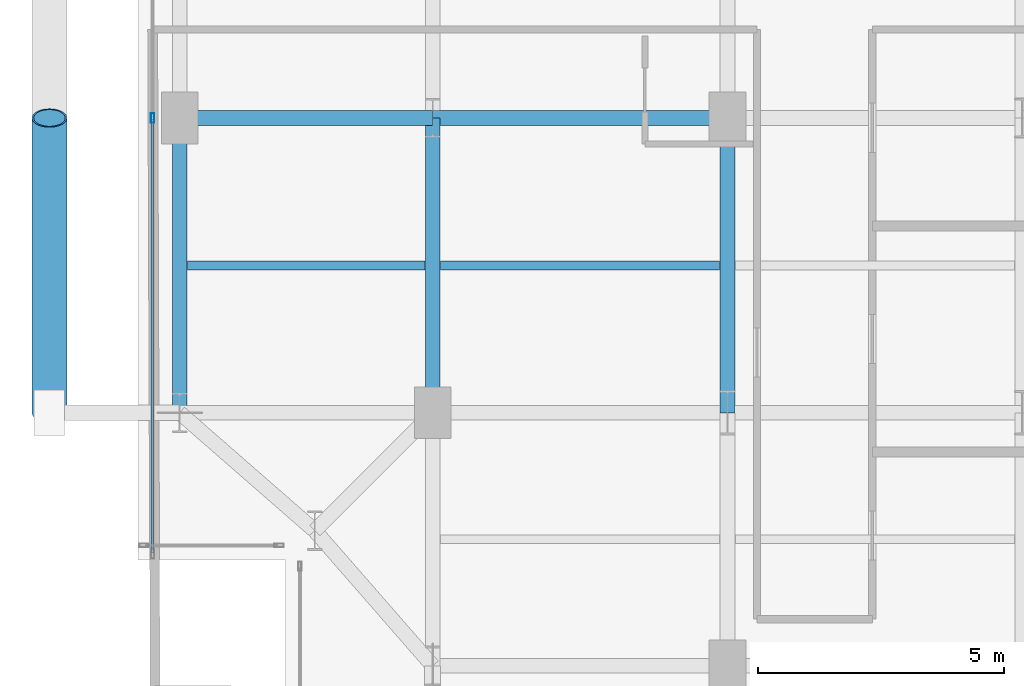
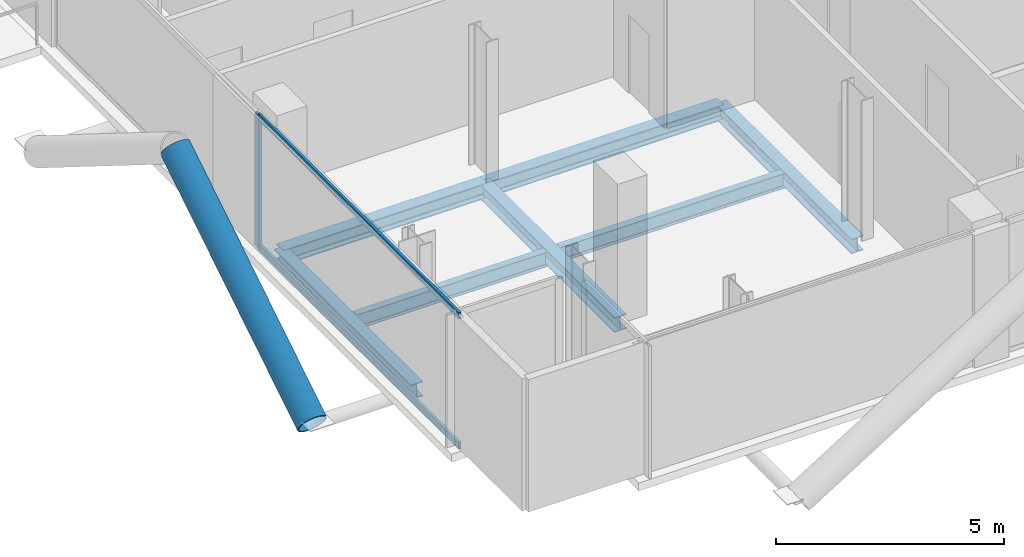
# One storey, part 3 of 25: 7 beams, 4 members, 1 element without a shape of its own.
"""IFC4 building model written with IfcOpenShell, lengths in metres."""

from ifc_helpers import new_model, si_unit, direction, frame, origin, origin_2d, place, context, subcontext, project, spatial, hollow_rectangle, hollow_circle, i_section, extrude, material, layer, layer_set, material_profile, profile_set, type_object, element, aggregate, save


model = new_model("IFC4")

# Units and contexts
model_context = context("Model", 3, precision=1e-05, world=origin(), true_north=direction((0.0, 1.0)))
body_context = subcontext(model_context, "Body", "Model", "MODEL_VIEW")
ifc_project = project(units=[si_unit("LENGTHUNIT", "METRE"), si_unit("AREAUNIT", "SQUARE_METRE"), si_unit("VOLUMEUNIT", "CUBIC_METRE"), si_unit("PLANEANGLEUNIT", "RADIAN"), si_unit("MASSUNIT", "GRAM", prefix="KILO"), si_unit("THERMODYNAMICTEMPERATUREUNIT", "KELVIN"), si_unit("POWERUNIT", "WATT")], contexts=[model_context])

# Site, building, storey
site_placement = place(None, origin())
site = spatial("IfcSite", under=ifc_project, at=site_placement, CompositionType="ELEMENT")
building_placement = place(site_placement, origin())
building = spatial("IfcBuilding", under=site, at=building_placement, Name="Svarakhadi Broadcast Tower", CompositionType="ELEMENT")
storey_placement = place(building_placement, frame((0.0, 0.0, 227.39990234375)))
storey = spatial("IfcBuildingStorey", under=building, at=storey_placement, Name="L56", CompositionType="ELEMENT", Elevation=227.39990234375)

# Beams
ifc_material_1 = material(Name="Steel S355J2 (IS 2062 E350C)", Category="steel")
ifc_material_profile_1 = material_profile(ifc_material_1, i_section(OverallWidth=0.179931640625, OverallDepth=0.39990234375, WebThickness=0.008544921875, FlangeThickness=0.013427734375, FilletRadius=0.02099609375, at=origin_2d()), Name="NPB 400x180x66")
ifc_profile_set_1 = profile_set([ifc_material_profile_1], Name="Steel S355J2 (IS 2062 E350C)")
beam_type_1 = type_object("IfcBeamType", Name="Beam_NPB400", PredefinedType="BEAM", material=ifc_profile_set_1)
beam_1_placement = place(storey_placement, frame((1.010009765625, 9.0, -0.409912109375), z_axis=(1.0, 0.0, 0.0), x_axis=(0.0, 1.0, 0.0)))
element("IfcBeam", 1, at=beam_1_placement, inside=storey, type_object=beam_type_1, Name="L56 Secondary Composite Beam SB001", PredefinedType="BEAM", context=body_context, shape_type="SweptSolid", body=[
    extrude(i_section(OverallWidth=0.179931640625, OverallDepth=0.39990234375, WebThickness=0.008544921875, FlangeThickness=0.013427734375, FilletRadius=0.02099609375, at=origin_2d()), origin(), (0.0, 0.0, 1.0), 4.830078125),
])
beam_2_placement = place(storey_placement, frame((6.159912109375, 9.0, -0.409912109375), z_axis=(1.0, 0.0, 0.0), x_axis=(0.0, 1.0, 0.0)))
element("IfcBeam", 2, at=beam_2_placement, inside=storey, type_object=beam_type_1, Name="L56 Secondary Composite Beam SB006", PredefinedType="BEAM", context=body_context, shape_type="SweptSolid", body=[
    extrude(i_section(OverallWidth=0.179931640625, OverallDepth=0.39990234375, WebThickness=0.008544921875, FlangeThickness=0.013427734375, FilletRadius=0.02099609375, at=origin_2d()), origin(), (0.0, 0.0, 1.0), 5.68017578125),
])

# Curtain wall, members
ifc_material_2 = material(Name="Anodised Bronze Aluminium AA 6063-T6", Category="aluminium")
ifc_layer = layer(ifc_material_2, 0.18994140625)
ifc_layer_set = layer_set([ifc_layer], Name="Anodised Bronze Aluminium AA 6063-T6")
curtain_wall_type = type_object("IfcCurtainWallType", Name="CW_Sys_04", PredefinedType="NOTDEFINED", material=ifc_layer_set)
curtain_wall_placement = place(storey_placement, origin())
curtain_wall = element("IfcCurtainWall", 3, at=curtain_wall_placement, inside=storey, type_object=curtain_wall_type, Name="L56 West Curtain Wall 02", PredefinedType="NOTDEFINED")
ifc_material_profile_2 = material_profile(ifc_material_2, hollow_rectangle(XDim=0.070068359375, YDim=0.18994140625, WallThickness=0.005615234375, at=origin_2d()), Name="ALU MULLION 190x70x6")
ifc_profile_set_2 = profile_set([ifc_material_profile_2], Name="Anodised Bronze Aluminium AA 6063-T6")
member_type_1 = type_object("IfcMemberType", Name="CW_Sys_04_Mul", PredefinedType="MULLION", material=ifc_profile_set_2)
member_1_placement = place(storey_placement, frame((0.300048828125, 12.0, 0.0), z_axis=(0.0, 0.0, 1.0), x_axis=(-1.0, 0.0, 0.0)))
member_1 = element("IfcMember", 4, at=member_1_placement, type_object=member_type_1, Name="CW-04 mullion 2", PredefinedType="MULLION", context=body_context, shape_type="SweptSolid", body=[
    extrude(hollow_rectangle(XDim=0.070068359375, YDim=0.18994140625, WallThickness=0.005615234375, at=origin_2d()), origin(), (0.0, 0.0, 1.0), 3.5400390625),
])
ifc_material_profile_3 = material_profile(ifc_material_2, hollow_rectangle(XDim=0.06494140625, YDim=0.175048828125, WallThickness=0.0048828125, at=origin_2d()), Name="ALU TRANSOM 175x65x5")
ifc_profile_set_3 = profile_set([ifc_material_profile_3], Name="Anodised Bronze Aluminium AA 6063-T6")
member_type_2 = type_object("IfcMemberType", Name="CW_Sys_04_Trn", PredefinedType="USERDEFINED", material=ifc_profile_set_3)
member_2_placement = place(storey_placement, frame((0.300048828125, 3.159912109375, 0.03271484375), z_axis=(0.0, 1.0, 0.0), x_axis=(-1.0, 0.0, 0.0)))
member_2 = element("IfcMember", 5, at=member_2_placement, type_object=member_type_2, Name="CW-04 transom 1.1", ObjectType="TRANSOM", PredefinedType="USERDEFINED", context=body_context, shape_type="SweptSolid", body=[
    extrude(hollow_rectangle(XDim=0.06494140625, YDim=0.175048828125, WallThickness=0.0048828125, at=origin_2d()), origin(), (0.0, 0.0, 1.0), 8.80517578125),
])
member_3_placement = place(storey_placement, frame((0.300048828125, 3.159912109375, 3.507568359375), z_axis=(0.0, 1.0, 0.0), x_axis=(-1.0, 0.0, 0.0)))
member_3 = element("IfcMember", 6, at=member_3_placement, type_object=member_type_2, Name="CW-04 transom 1.2", ObjectType="TRANSOM", PredefinedType="USERDEFINED", context=body_context, shape_type="SweptSolid", body=[
    extrude(hollow_rectangle(XDim=0.06494140625, YDim=0.175048828125, WallThickness=0.0048828125, at=origin_2d()), origin(), (0.0, 0.0, 1.0), 8.80517578125),
])
aggregate(curtain_wall, [member_1, member_2, member_3])

# Member
ifc_material_3 = material(Name="Steel S460ML (IS 2062 E450BR)", Category="steel")
ifc_material_profile_4 = material_profile(ifc_material_3, hollow_circle(Radius=0.35546875, WallThickness=0.034912109375, at=origin_2d()), Name="CHS 711x35")
ifc_profile_set_4 = profile_set([ifc_material_profile_4], Name="Steel S460ML (IS 2062 E450BR)")
member_type_3 = type_object("IfcMemberType", Name="Exo_Brace_CHS711", PredefinedType="BRACE", material=ifc_profile_set_4)
member_4_placement = place(storey_placement, frame((-1.800048828125, 6.0, -0.371826171875), z_axis=(0.0, 0.847998304005, 0.529998940003), x_axis=(-1.0, 0.0, 0.0)))
element("IfcMember", 7, at=member_4_placement, inside=storey, type_object=member_type_3, Name="L56 Exposed Bronze Exoskeleton Diagonal W04", PredefinedType="BRACE", context=body_context, shape_type="SweptSolid", body=[
    extrude(hollow_circle(Radius=0.35546875, WallThickness=0.034912109375, at=origin_2d()), origin(), (0.0, 0.0, 1.0), 7.075439453125),
])

# Beams
ifc_material_profile_5 = material_profile(ifc_material_1, i_section(OverallWidth=0.300048828125, OverallDepth=0.39990234375, WebThickness=0.013427734375, FlangeThickness=0.02392578125, FilletRadius=0.027099609375, at=origin_2d()), Name="WPB 400x300x155")
ifc_profile_set_5 = profile_set([ifc_material_profile_5], Name="Steel S355J2 (IS 2062 E350C)")
beam_type_2 = type_object("IfcBeamType", Name="Girder_WPB400", PredefinedType="USERDEFINED", material=ifc_profile_set_5)
beam_3_placement = place(storey_placement, frame((0.85009765625, 12.0, -0.409912109375), z_axis=(1.0, 0.0, 0.0), x_axis=(0.0, 1.0, 0.0)))
element("IfcBeam", 8, at=beam_3_placement, inside=storey, type_object=beam_type_2, Name="L56 Primary E-W Girder G015", ObjectType="GIRDER", PredefinedType="USERDEFINED", context=body_context, shape_type="SweptSolid", body=[
    extrude(i_section(OverallWidth=0.300048828125, OverallDepth=0.39990234375, WebThickness=0.013427734375, FlangeThickness=0.02392578125, FilletRadius=0.027099609375, at=origin_2d()), origin(), (0.0, 0.0, 1.0), 5.14990234375),
])
for number, where, z_axis, x_axis, name in (
    (9, (6.0, 12.0, -0.409912109375), (1.0, 0.0, 0.0), (0.0, 1.0, 0.0), "L56 Primary E-W Girder G016"),
    (10, (0.85009765625, 6.0, -0.409912109375), (0.0, 1.0, 0.0), (-1.0, 0.0, 0.0), "L56 Primary N-S Girder G033"),
    (11, (6.0, 6.0, -0.409912109375), (0.0, 1.0, 0.0), (-1.0, 0.0, 0.0), "L56 Primary N-S Girder G038"),
    (12, (12.0, 6.0, -0.409912109375), (0.0, 1.0, 0.0), (-1.0, 0.0, 0.0), "L56 Primary N-S Girder G043"),
):
    element("IfcBeam", number, at=place(storey_placement, frame(where, z_axis=z_axis, x_axis=x_axis)), inside=storey, type_object=beam_type_2, Name=name, ObjectType="GIRDER", PredefinedType="USERDEFINED", context=body_context, shape_type="SweptSolid", body=[
        extrude(i_section(OverallWidth=0.300048828125, OverallDepth=0.39990234375, WebThickness=0.013427734375, FlangeThickness=0.02392578125, FilletRadius=0.027099609375, at=origin_2d()), origin(), (0.0, 0.0, 1.0), 6.0),
    ])

save(model, "model.ifc")
